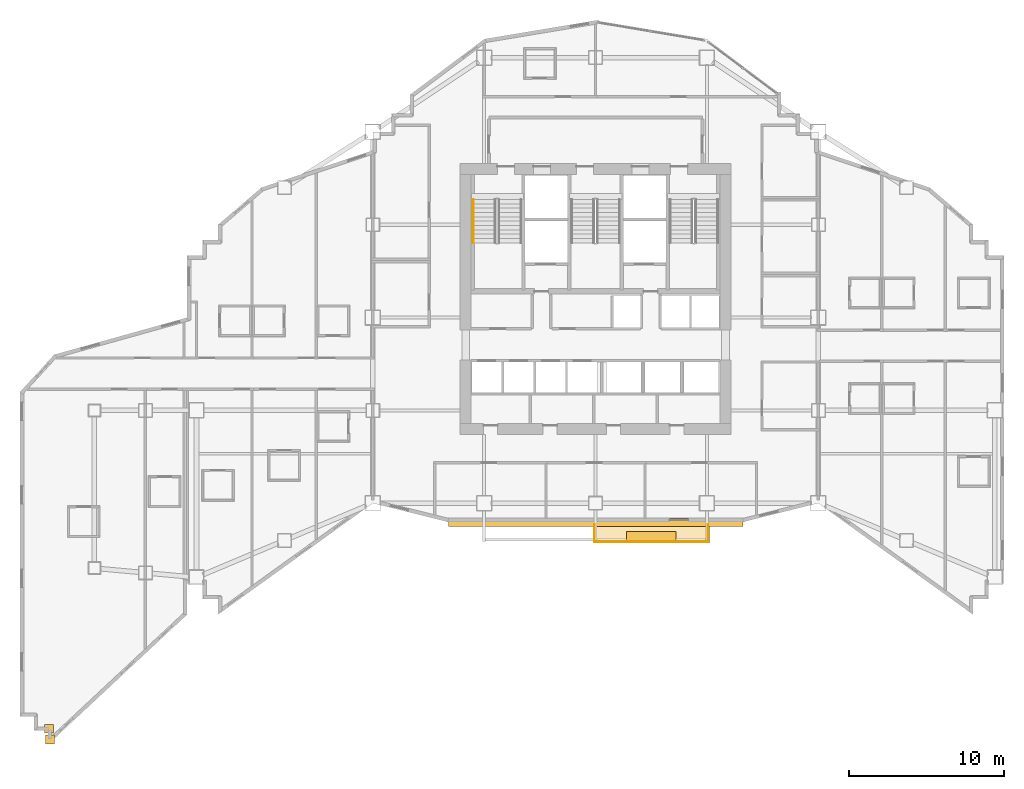
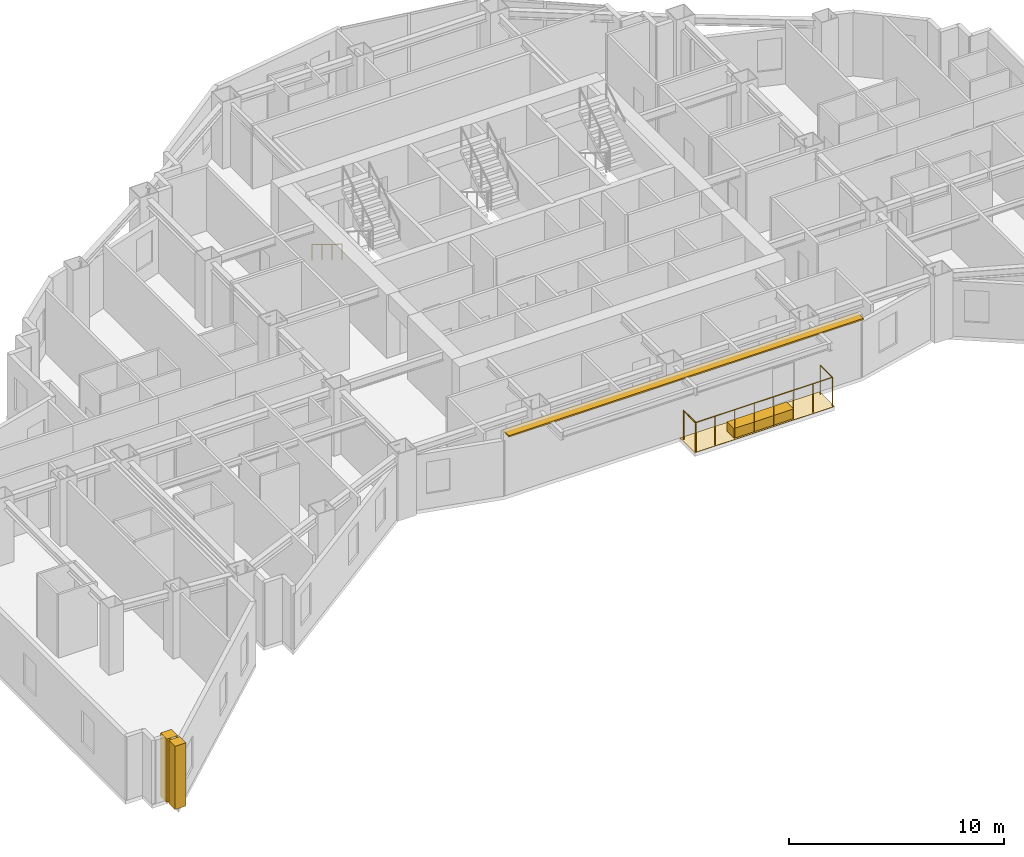
# One storey, part 14 of 15: 4 coverings, 3 railings, 1 shading device.
"""IFC4 building model written with IfcOpenShell, lengths in metres."""

from ifc_helpers import new_model, si_unit, direction, frame, origin, origin_2d, place, context, subcontext, project, spatial, polyline, rectangle, circle, outline, extrude, material, layer, layer_set, type_object, element, save


model = new_model("IFC4")

# Units and contexts
model_context = context("Model", 3, precision=1e-05, world=origin(), true_north=direction((0.0, 1.0)))
body_context = subcontext(model_context, "Body", "Model", "MODEL_VIEW")
ifc_project = project(units=[si_unit("LENGTHUNIT", "METRE"), si_unit("AREAUNIT", "SQUARE_METRE"), si_unit("VOLUMEUNIT", "CUBIC_METRE"), si_unit("PLANEANGLEUNIT", "RADIAN"), si_unit("MASSUNIT", "GRAM", prefix="KILO")], contexts=[model_context])

# Site, building, storey
site_placement = place(None, origin())
site = spatial("IfcSite", under=ifc_project, at=site_placement, CompositionType="ELEMENT")
building_placement = place(site_placement, origin())
building = spatial("IfcBuilding", under=site, at=building_placement, Name="Haolan Belvedere Tower", CompositionType="ELEMENT")
storey_placement = place(building_placement, frame((0.0, 0.0, 152.39990234375)))
storey = spatial("IfcBuildingStorey", under=building, at=storey_placement, Name="L38", CompositionType="ELEMENT", Elevation=152.39990234375)

# Coverings
ifc_material_1 = material(Name="Pale champagne-silver anodised aluminium rainscreen cladding", Category="aluminium")
ifc_layer_1 = layer(ifc_material_1, 0.034912109375, Name="Pale champagne-silver anodised aluminium rainscreen cladding")
ifc_layer_set_1 = layer_set([ifc_layer_1], Name="Pale champagne-silver anodised aluminium rainscreen cladding")
covering_type_1 = type_object("IfcCoveringType", Name="COV-CLAD-35", PredefinedType="CLADDING", material=ifc_layer_set_1)
for number, where, z_axis, x_axis, name in (
    (1, (3.077392578125, 7.02001953125, 0.0), (0.0, 0.0, 1.0), (1.0, 0.0, 0.0), "L38 pale-metal serrated corner cladding trim 1"),
    (2, (3.1201171875, 6.318603515625, 0.0), (0.0, 0.0, 1.0), (1.0, 0.0, 0.0), "L38 pale-metal serrated corner cladding trim 2"),
):
    element("IfcCovering", number, at=place(storey_placement, frame(where, z_axis=z_axis, x_axis=x_axis)), inside=storey, type_object=covering_type_1, Name=name, PredefinedType="CLADDING", context=body_context, shape_type="SweptSolid", body=[
        extrude(rectangle(XDim=0.580078125, YDim=0.580078125, at=origin_2d()), origin(), (0.0, 0.0, 1.0), 3.60009765625),
    ])
ifc_material_2 = material(Name="Engineered lightweight planted garden soil substrate", Category="masonry")
ifc_layer_2 = layer(ifc_material_2, 0.550048828125, Name="Engineered lightweight planted garden soil substrate")
ifc_layer_set_2 = layer_set([ifc_layer_2], Name="Engineered lightweight planted garden soil substrate")
covering_type_2 = type_object("IfcCoveringType", Name="COV-PLANT-550", PredefinedType="MEMBRANE", material=ifc_layer_set_2)
covering_1_placement = place(storey_placement, frame((42.0, 19.43994140625, 0.0), z_axis=(0.0, 0.0, 1.0), x_axis=(1.0, 0.0, 0.0)))
element("IfcCovering", 3, at=covering_1_placement, inside=storey, type_object=covering_type_2, Name="L38 structural tree balcony PLANTER box 1", PredefinedType="MEMBRANE", context=body_context, shape_type="SweptSolid", body=[
    extrude(rectangle(XDim=3.199951171875, YDim=0.64990234375, at=origin_2d()), origin(), (0.0, 0.0, 1.0), 0.550048828125),
])
ifc_material_3 = material(Name="Elastomeric waterproof roofing membrane and stone pavers", Category="masonry")
ifc_layer_3 = layer(ifc_material_3, 0.02001953125, Name="Elastomeric waterproof roofing membrane and stone pavers")
ifc_layer_set_3 = layer_set([ifc_layer_3], Name="Elastomeric waterproof roofing membrane and stone pavers")
covering_type_3 = type_object("IfcCoveringType", Name="COV-ROOF-20", PredefinedType="ROOFING", material=ifc_layer_set_3)
covering_2_placement = place(storey_placement, frame((0.0, 0.0, -0.02001953125)))
element("IfcCovering", 4, at=covering_2_placement, inside=storey, type_object=covering_type_3, Name="L38 tree-balcony waterproof membrane 1", PredefinedType="ROOFING", context=body_context, shape_type="SweptSolid", body=[
    extrude(outline(polyline([(38.25, 19.02001953125), (45.75, 19.02001953125), (45.75, 20.39990234375), (38.25, 20.39990234375), (38.25, 19.02001953125)])), origin(), (0.0, 0.0, 1.0), 0.02001953125),
])

# Railings
ifc_material_4 = material(Name="Brushed stainless steel 304", Category="steel")
railing_type_1 = type_object("IfcRailingType", Name="RL-STAIR-HND-900", PredefinedType="HANDRAIL", material=ifc_material_4)
railing_1_placement = place(storey_placement, frame((30.5, 41.22998046875, 0.1728515625)))
element("IfcRailing", 5, at=railing_1_placement, inside=storey, type_object=railing_type_1, Name="L38 ST1 stair handrail 1", PredefinedType="HANDRAIL", context=body_context, shape_type="SweptSolid", body=[
    extrude(circle(Radius=0.02392578125, at=origin_2d()), frame((0.0, 0.0, 0.8759765625), z_axis=(0.0, -0.851089632645, 0.525020415988), x_axis=(1.0, 0.0, 0.0)), (0.0, 0.0, 1.0), 3.2900390625),
    extrude(circle(Radius=0.02099609375, at=origin_2d()), origin(), (0.0, 0.0, 1.0), 0.851806640625),
    extrude(circle(Radius=0.02099609375, at=origin_2d()), frame((0.0, -0.933349609375, 0.57568359375)), (0.0, 0.0, 1.0), 0.851806640625),
    extrude(circle(Radius=0.02099609375, at=origin_2d()), frame((0.0, -1.86669921875, 1.151611328125)), (0.0, 0.0, 1.0), 0.851806640625),
    extrude(circle(Radius=0.02099609375, at=origin_2d()), frame((0.0, -2.800048828125, 1.727294921875)), (0.0, 0.0, 1.0), 0.851806640625),
])
ifc_material_5 = material(Name="Anodised aluminium and laminated glass balustrade", Category="aluminium")
railing_type_2 = type_object("IfcRailingType", Name="RL-TER-BAL-1150", PredefinedType="BALUSTRADE", material=ifc_material_5)
railing_2_placement = place(storey_placement, frame((38.330078125, 19.10009765625, 0.0)))
element("IfcRailing", 6, at=railing_2_placement, inside=storey, type_object=railing_type_2, Name="L38 outdoor perimeter balustrade BAL-L38-1-1", PredefinedType="BALUSTRADE", context=body_context, shape_type="SweptSolid", body=[
    extrude(circle(Radius=0.02392578125, at=origin_2d()), frame((0.0, 0.0, 1.6259765625), z_axis=(0.0, 1.0, 0.0), x_axis=(-1.0, 0.0, 0.0)), (0.0, 0.0, 1.0), 1.119873046875),
    extrude(circle(Radius=0.02099609375, at=origin_2d()), origin(), (0.0, 0.0, 1.0), 1.601806640625),
    extrude(circle(Radius=0.02099609375, at=origin_2d()), frame((0.0, 1.119873046875, 0.0)), (0.0, 0.0, 1.0), 1.601806640625),
])
railing_3_placement = place(storey_placement, frame((45.669921875, 20.219970703125, 0.0)))
element("IfcRailing", 7, at=railing_3_placement, inside=storey, type_object=railing_type_2, Name="L38 outdoor perimeter balustrade BAL-L38-1-2", PredefinedType="BALUSTRADE", context=body_context, shape_type="SweptSolid", body=[
    extrude(circle(Radius=0.02392578125, at=origin_2d()), frame((0.0, 0.0, 1.6259765625), z_axis=(0.0, -1.0, 0.0), x_axis=(1.0, 0.0, 0.0)), (0.0, 0.0, 1.0), 1.119873046875),
    extrude(circle(Radius=0.02392578125, at=origin_2d()), frame((0.0, -1.119873046875, 1.6259765625), z_axis=(-1.0, 0.0, 0.0), x_axis=(0.0, -1.0, 0.0)), (0.0, 0.0, 1.0), 7.33984375),
    extrude(circle(Radius=0.02099609375, at=origin_2d()), origin(), (0.0, 0.0, 1.0), 1.601806640625),
    extrude(circle(Radius=0.02099609375, at=origin_2d()), frame((0.0, -1.119873046875, 0.0)), (0.0, 0.0, 1.0), 1.601806640625),
    extrude(circle(Radius=0.02099609375, at=origin_2d()), frame((-1.048583984375, -1.119873046875, 0.0)), (0.0, 0.0, 1.0), 1.601806640625),
    extrude(circle(Radius=0.02099609375, at=origin_2d()), frame((-2.09716796875, -1.119873046875, 0.0)), (0.0, 0.0, 1.0), 1.601806640625),
    extrude(circle(Radius=0.02099609375, at=origin_2d()), frame((-3.145751953125, -1.119873046875, 0.0)), (0.0, 0.0, 1.0), 1.601806640625),
    extrude(circle(Radius=0.02099609375, at=origin_2d()), frame((-4.194091796875, -1.119873046875, 0.0)), (0.0, 0.0, 1.0), 1.601806640625),
    extrude(circle(Radius=0.02099609375, at=origin_2d()), frame((-5.24267578125, -1.119873046875, 0.0)), (0.0, 0.0, 1.0), 1.601806640625),
    extrude(circle(Radius=0.02099609375, at=origin_2d()), frame((-6.291259765625, -1.119873046875, 0.0)), (0.0, 0.0, 1.0), 1.601806640625),
    extrude(circle(Radius=0.02099609375, at=origin_2d()), frame((-7.33984375, -1.119873046875, 0.0)), (0.0, 0.0, 1.0), 1.601806640625),
])

# Shading device
ifc_material_6 = material(Name="Anodised champagne-silver aluminium 6063-T6", Category="aluminium")
ifc_layer_4 = layer(ifc_material_6, 0.080078125, Name="Anodised champagne-silver aluminium 6063-T6")
ifc_layer_set_4 = layer_set([ifc_layer_4], Name="Anodised champagne-silver aluminium 6063-T6")
shading_device_type = type_object("IfcShadingDeviceType", Name="SHD-SUN-550", PredefinedType="USERDEFINED", material=ifc_layer_set_4)
shading_device_placement = place(storey_placement, frame((38.39990234375, 20.3798828125, 3.5), z_axis=(0.0, 0.0, 1.0), x_axis=(1.0, 0.0, 0.0)))
element("IfcShadingDevice", 8, at=shading_device_placement, inside=storey, type_object=shading_device_type, Name="L38 pale-metal horizontal SUNSHADE band 7.1", ObjectType="SUNSHADE", PredefinedType="USERDEFINED", context=body_context, shape_type="SweptSolid", body=[
    extrude(rectangle(XDim=19.040283203125, YDim=0.550048828125, at=origin_2d()), origin(), (0.0, 0.0, 1.0), 0.080078125),
])

save(model, "model.ifc")
